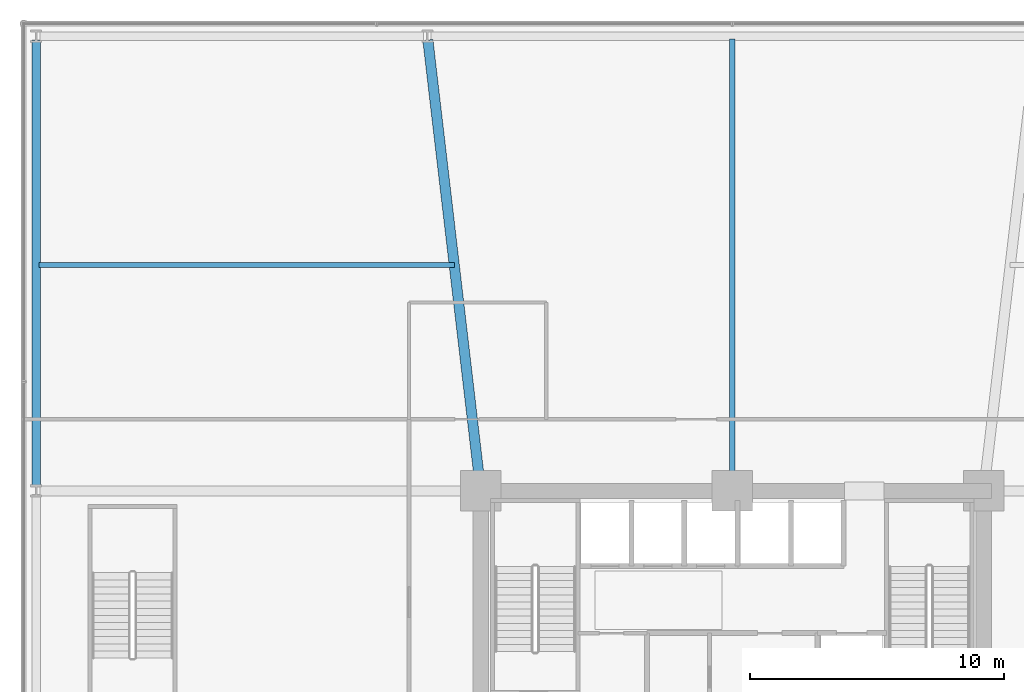
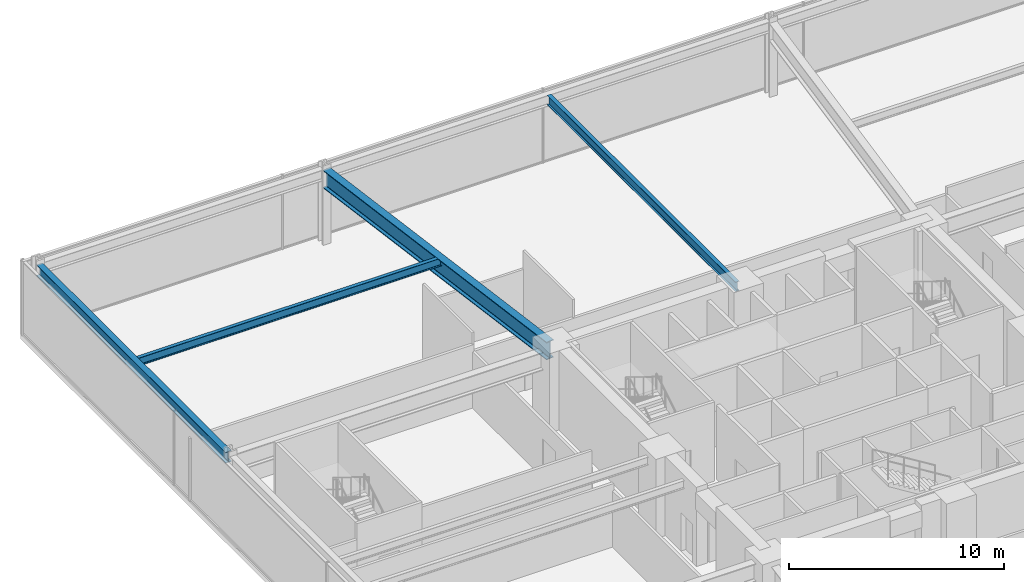
# One storey, part 27 of 47: 4 beams.
"""IFC4 building model written with IfcOpenShell, lengths in metres."""

from ifc_helpers import new_model, si_unit, direction, frame, origin, origin_2d, place, context, subcontext, project, spatial, i_section, extrude, material, material_profile, profile_set, type_object, element, save


model = new_model("IFC4")

# Units and contexts
model_context = context("Model", 3, precision=1e-05, world=origin(), true_north=direction((0.0, 1.0)))
body_context = subcontext(model_context, "Body", "Model", "MODEL_VIEW")
ifc_project = project(units=[si_unit("LENGTHUNIT", "METRE"), si_unit("AREAUNIT", "SQUARE_METRE"), si_unit("VOLUMEUNIT", "CUBIC_METRE"), si_unit("PLANEANGLEUNIT", "RADIAN"), si_unit("MASSUNIT", "GRAM", prefix="KILO")], contexts=[model_context])

# Site, building, storey
site_placement = place(None, origin())
site = spatial("IfcSite", under=ifc_project, at=site_placement, CompositionType="ELEMENT")
building_placement = place(site_placement, origin())
building = spatial("IfcBuilding", under=site, at=building_placement, Name="Kolvaren Belvedere", CompositionType="ELEMENT")
storey_placement = place(building_placement, frame((0.0, 0.0, 5.5)))
storey = spatial("IfcBuildingStorey", under=building, at=storey_placement, Name="L02", CompositionType="ELEMENT", Elevation=5.5)

# Beams
ifc_material_1 = material(Name="Structural steel ASTM A992 Grade 50", Category="steel")
ifc_material_profile_1 = material_profile(ifc_material_1, i_section(OverallWidth=0.40087890625, OverallDepth=1.010986328125, WebThickness=0.023681640625, FlangeThickness=0.0419921875, FilletRadius=0.030029296875, at=origin_2d()), Name="W40X297")
ifc_profile_set_1 = profile_set([ifc_material_profile_1], Name="Structural steel ASTM A992 Grade 50")
beam_type_1 = type_object("IfcBeamType", Name="BM-BALL-W40X297", PredefinedType="BEAM", material=ifc_profile_set_1)
beam_1_placement = place(storey_placement, frame((-9.952392578125, 10.346923828125, 3.714599609375), z_axis=(-0.116516841483, 0.993188716031, 0.0), x_axis=(-0.993188716031, -0.116516841483, 0.0)))
element("IfcBeam", 1, at=beam_1_placement, inside=storey, type_object=beam_type_1, Name="L02 North-West Radial Girder", PredefinedType="BEAM", context=body_context, shape_type="SweptSolid", body=[
    extrude(i_section(OverallWidth=0.40087890625, OverallDepth=1.010986328125, WebThickness=0.023681640625, FlangeThickness=0.0419921875, FilletRadius=0.030029296875, at=origin_2d()), origin(), (0.0, 0.0, 1.0), 17.422607421875),
])
ifc_material_2 = material(Name="Structural steel ASTM A992 Grade 50", Category="steel")
ifc_material_profile_2 = material_profile(ifc_material_2, i_section(OverallWidth=0.2099609375, OverallDepth=0.537109375, WebThickness=0.010986328125, FlangeThickness=0.017333984375, FilletRadius=0.01611328125, at=origin_2d()), Name="W21X68")
ifc_profile_set_2 = profile_set([ifc_material_profile_2], Name="Structural steel ASTM A992 Grade 50")
beam_type_2 = type_object("IfcBeamType", Name="BM-FLR-W21X68", PredefinedType="BEAM", material=ifc_profile_set_2)
beam_2_placement = place(storey_placement, frame((0.0, 10.14990234375, 3.951416015625), z_axis=(0.0, 1.0, 0.0), x_axis=(-1.0, 0.0, 0.0)))
element("IfcBeam", 2, at=beam_2_placement, inside=storey, type_object=beam_type_2, Name="L02 North Centre Beam", PredefinedType="BEAM", context=body_context, shape_type="SweptSolid", body=[
    extrude(i_section(OverallWidth=0.2099609375, OverallDepth=0.537109375, WebThickness=0.010986328125, FlangeThickness=0.017333984375, FilletRadius=0.01611328125, at=origin_2d()), origin(), (0.0, 0.0, 1.0), 17.530029296875),
])
ifc_material_3 = material(Name="Structural steel ASTM A992 Grade 50", Category="steel")
ifc_material_profile_3 = material_profile(ifc_material_3, i_section(OverallWidth=0.19091796875, OverallDepth=0.4599609375, WebThickness=0.010009765625, FlangeThickness=0.01611328125, FilletRadius=0.014892578125, at=origin_2d()), Name="W18X55")
ifc_profile_set_3 = profile_set([ifc_material_profile_3], Name="Structural steel ASTM A992 Grade 50")
beam_type_3 = type_object("IfcBeamType", Name="BM-JOIST-W18X55", PredefinedType="BEAM", material=ifc_profile_set_3)
beam_3_placement = place(storey_placement, frame((-27.280029296875, 18.800048828125, 3.989990234375), z_axis=(1.0, 0.0, 0.0), x_axis=(0.0, 1.0, 0.0)))
element("IfcBeam", 3, at=beam_3_placement, inside=storey, type_object=beam_type_3, Name="L02 West Bay Floor Beam", PredefinedType="BEAM", context=body_context, shape_type="SweptSolid", body=[
    extrude(i_section(OverallWidth=0.19091796875, OverallDepth=0.4599609375, WebThickness=0.010009765625, FlangeThickness=0.01611328125, FilletRadius=0.014892578125, at=origin_2d()), origin(), (0.0, 0.0, 1.0), 16.340087890625),
])
ifc_material_4 = material(Name="Structural steel ASTM A992 Grade 50", Category="steel")
ifc_material_profile_4 = material_profile(ifc_material_4, i_section(OverallWidth=0.324951171875, OverallDepth=0.615966796875, WebThickness=0.013916015625, FlangeThickness=0.021484375, FilletRadius=0.02001953125, at=origin_2d()), Name="W24X117")
ifc_profile_set_4 = profile_set([ifc_material_profile_4], Name="Structural steel ASTM A992 Grade 50")
beam_type_4 = type_object("IfcBeamType", Name="BM-SPAN-W24X117", PredefinedType="SPANDREL", material=ifc_profile_set_4)
beam_4_placement = place(storey_placement, frame((-27.39990234375, 10.050048828125, 3.912109375), z_axis=(0.0, 1.0, 0.0), x_axis=(-1.0, 0.0, 0.0)))
element("IfcBeam", 4, at=beam_4_placement, inside=storey, type_object=beam_type_4, Name="L02 W Podium Spandrel 3", PredefinedType="SPANDREL", context=body_context, shape_type="SweptSolid", body=[
    extrude(i_section(OverallWidth=0.324951171875, OverallDepth=0.615966796875, WebThickness=0.013916015625, FlangeThickness=0.021484375, FilletRadius=0.02001953125, at=origin_2d()), origin(), (0.0, 0.0, 1.0), 17.599853515625),
])

save(model, "model.ifc")
